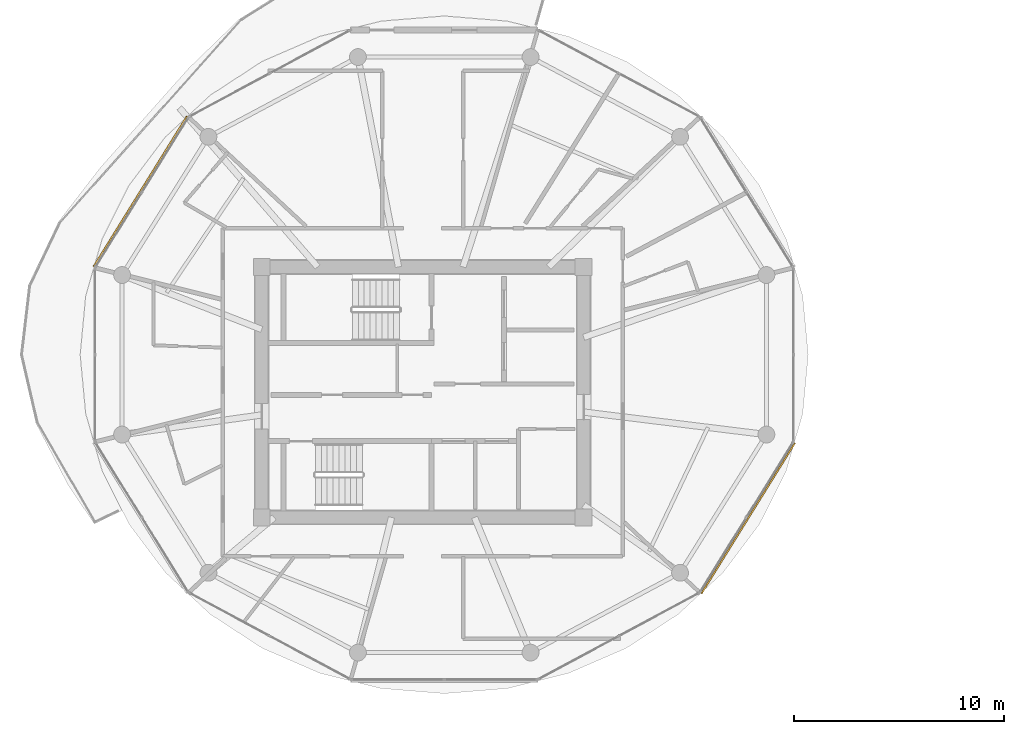
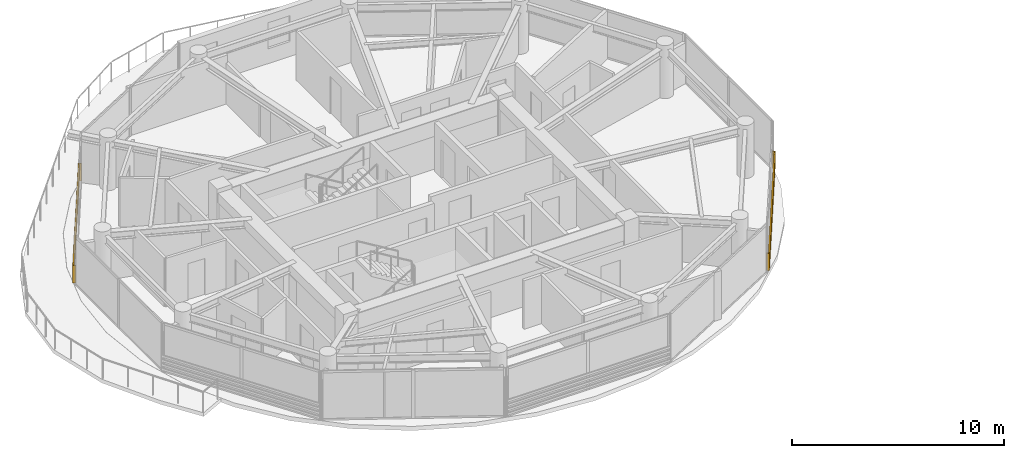
# One storey, part 21 of 24: 2 shading devices.
"""IFC4 building model written with IfcOpenShell, lengths in metres."""

import ifcopenshell
import ifcopenshell.guid

model = None  # the IFC model being written
_history = None  # IfcOwnerHistory: only IFC2X3 demands one
_inside = {}  # id of a spatial element -> (the spatial element, [elements in it])
_under = {}  # id of a project, library or spatial element -> (it, [spatial elements below it])
_declared = {}  # id of a project -> (the project, [libraries it declares])
_typed = {}  # id of a type object -> (the type object, [elements of that type])
_made_of = {}  # id of a material, layer set ... -> (it, [elements and type objects made of it])


def new_model(schema):
    """Start an empty IFC model of exactly this schema.

    Asked for "IFC4X3", IfcOpenShell would pick the latest addendum, in which some entities
    have other attributes; the version numbers below select the first issue.
    IFC2X3 requires an IfcOwnerHistory on every rooted entity: one is made here for all.
    """
    global model, _history
    if schema == "IFC4X3":
        model = ifcopenshell.file(schema_version=(4, 3, 0, 0))
    else:
        model = ifcopenshell.file(schema=schema)
    _inside.clear()
    _under.clear()
    _declared.clear()
    _typed.clear()
    _made_of.clear()
    _history = None
    if model.schema == "IFC2X3":
        org = make("IfcOrganization", Name="unknown")
        user = make(
            "IfcPersonAndOrganization",
            ThePerson=make("IfcPerson", FamilyName="unknown"),
            TheOrganization=org,
        )
        app = make(
            "IfcApplication",
            ApplicationDeveloper=org,
            Version="unknown",
            ApplicationFullName="unknown",
            ApplicationIdentifier="unknown",
        )
        _history = make(
            "IfcOwnerHistory",
            OwningUser=user,
            OwningApplication=app,
            ChangeAction="ADDED",
            CreationDate=0,
        )
    return model


def make(cls, **values):
    """One entity of the class cls with the attributes given. An attribute that is None is left unset."""
    return model.create_entity(
        cls, **{name: value for name, value in values.items() if value is not None}
    )


def rooted(cls, **values):
    """An entity with a GlobalId (a new one), such as an element, a storey or a relation."""
    return make(cls, GlobalId=ifcopenshell.guid.new(), OwnerHistory=_history, **values)


def si_unit(unit_type, name, prefix=None):
    """IfcSIUnit, for example si_unit("LENGTHUNIT", "METRE", prefix="MILLI")."""
    return make("IfcSIUnit", UnitType=unit_type, Prefix=prefix, Name=name)


def assignment(units):
    """IfcUnitAssignment: the units of a project."""
    return None if units is None else make("IfcUnitAssignment", Units=units)


def point(xyz):
    """IfcCartesianPoint."""
    return None if xyz is None else make("IfcCartesianPoint", Coordinates=xyz)


def direction(xyz):
    """IfcDirection."""
    return None if xyz is None else make("IfcDirection", DirectionRatios=xyz)


def frame(location, z_axis=None, x_axis=None):
    """IfcAxis2Placement3D, a coordinate frame: its origin and axes. An axis left out is left unset."""
    return make(
        "IfcAxis2Placement3D",
        Location=point(location),
        Axis=direction(z_axis),
        RefDirection=direction(x_axis),
    )


def frame_2d(location, x_axis=None):
    """IfcAxis2Placement2D, a coordinate frame in the plane: its origin and x axis."""
    return make(
        "IfcAxis2Placement2D", Location=point(location), RefDirection=direction(x_axis)
    )


def origin():
    """The frame at (0, 0, 0) with its axes left unset."""
    return frame((0.0, 0.0, 0.0))


def origin_2d():
    """The frame at (0, 0) in the plane with its x axis left unset."""
    return frame_2d((0.0, 0.0))


def place(relative_to, where):
    """IfcLocalPlacement: puts the frame where relative to a parent placement (None: the world)."""
    return make(
        "IfcLocalPlacement", PlacementRelTo=relative_to, RelativePlacement=where
    )


def context(
    kind, dimensions, precision=None, world=None, true_north=None, identifier=None
):
    """IfcGeometricRepresentationContext, for example the 3D "Model" context."""
    return make(
        "IfcGeometricRepresentationContext",
        ContextIdentifier=identifier,
        ContextType=kind,
        CoordinateSpaceDimension=dimensions,
        Precision=precision,
        WorldCoordinateSystem=world,
        TrueNorth=true_north,
    )


def subcontext(parent, identifier, kind, view, scale=None):
    """IfcGeometricRepresentationSubContext, for example "Body" below "Model"."""
    return make(
        "IfcGeometricRepresentationSubContext",
        ContextIdentifier=identifier,
        ContextType=kind,
        ParentContext=parent,
        TargetScale=scale,
        TargetView=view,
    )


def project(units=None, contexts=None):
    """IfcProject with its units and contexts."""
    return rooted(
        "IfcProject",
        Name="project",
        RepresentationContexts=contexts,
        UnitsInContext=assignment(units),
    )


def spatial(cls, under=None, at=None, **own):
    """A site, building, storey or space (cls), placed at a placement, below another one or the project."""
    s = rooted(cls, ObjectPlacement=at, **own)
    if under is not None:
        _under.setdefault(under.id(), (under, []))[1].append(s)
    return s


def profile(cls, at=None, kind="AREA", **sizes):
    """A parametric profile (cls). Its sizes go by their IFC names, for example OverallWidth=200.0."""
    return make(cls, ProfileType=kind, Position=at, **sizes)


def rectangle(**sizes):
    """IfcRectangleProfileDef."""
    return profile("IfcRectangleProfileDef", **sizes)


def extrude(swept, where, along, depth):
    """IfcExtrudedAreaSolid: the profile swept, set in the frame where, extruded along a direction by depth."""
    return make(
        "IfcExtrudedAreaSolid",
        SweptArea=swept,
        Position=where,
        ExtrudedDirection=direction(along),
        Depth=depth,
    )


def shape(context_of_items, identifier, shape_type, items):
    """IfcShapeRepresentation: the items that make up one representation, for example the "Body"."""
    return make(
        "IfcShapeRepresentation",
        ContextOfItems=context_of_items,
        RepresentationIdentifier=identifier,
        RepresentationType=shape_type,
        Items=items,
    )


def source(mapping_origin, context_of_items, identifier, shape_type, items):
    """IfcRepresentationMap: a shape defined once, which mapped items show again and again."""
    return make(
        "IfcRepresentationMap",
        MappingOrigin=mapping_origin,
        MappedRepresentation=shape(context_of_items, identifier, shape_type, items),
    )


def transform(
    local_origin,
    x_axis=None,
    y_axis=None,
    z_axis=None,
    scale=None,
    scale2=None,
    scale3=None,
    uniform=True,
):
    """IfcCartesianTransformationOperator3D, or its non-uniform kind. x_axis, y_axis, z_axis: its Axis1, 2, 3."""
    if uniform:
        return make(
            "IfcCartesianTransformationOperator3D",
            Axis1=direction(x_axis),
            Axis2=direction(y_axis),
            LocalOrigin=point(local_origin),
            Scale=scale,
            Axis3=direction(z_axis),
        )
    return make(
        "IfcCartesianTransformationOperator3DnonUniform",
        Axis1=direction(x_axis),
        Axis2=direction(y_axis),
        LocalOrigin=point(local_origin),
        Scale=scale,
        Axis3=direction(z_axis),
        Scale2=scale2,
        Scale3=scale3,
    )


def mapped(mapping_source, mapping_target):
    """IfcMappedItem: shows the shape of a source again, moved by a transform."""
    return make(
        "IfcMappedItem", MappingSource=mapping_source, MappingTarget=mapping_target
    )


def material(Name=None, Category=None):
    """IfcMaterial."""
    return make("IfcMaterial", Name=Name, Category=Category)


def made_of(thing, what):
    """Note that an element or type object is made of a material, layer set ...; save() writes the relation."""
    if what is not None:
        _made_of.setdefault(what.id(), (what, []))[1].append(thing)
    return thing


def type_object(cls, material=None, **own):
    """A type object (cls), such as IfcWallType, which elements share."""
    return made_of(rooted(cls, **own), material)


def type_shapes(of_type, sources):
    """Give a type object the sources (RepresentationMaps) that its elements show as mapped items."""
    of_type.RepresentationMaps = sources


def element(
    cls,
    number,
    at=None,
    inside=None,
    cuts=None,
    type_object=None,
    material=None,
    context=None,
    identifier="Body",
    shape_type=None,
    held_by="IfcProductDefinitionShape",
    body=None,
    shapes=None,
    **own,
):
    """One element of the class cls, such as IfcWall. Its Tag is "e" and its number.

    at: its placement. inside: the storey or other place that contains it. cuts: it is an
    opening in that element (IfcRelVoidsElement). A single representation is given by context,
    identifier, shape_type and body (its items); several are given by shapes. held_by: the class
    of the entity that holds the representations. save() writes the other relations.
    """
    e = rooted(cls, Tag="e%d" % number, ObjectPlacement=at, **own)
    if body is not None:
        shapes = [shape(context, identifier, shape_type, body)]
    if shapes is not None:
        e.Representation = make(held_by, Representations=shapes)
    if inside is not None:
        _inside.setdefault(inside.id(), (inside, []))[1].append(e)
    if cuts is not None:
        rooted(
            "IfcRelVoidsElement", RelatingBuildingElement=cuts, RelatedOpeningElement=e
        )
    if type_object is not None:
        _typed.setdefault(type_object.id(), (type_object, []))[1].append(e)
    return made_of(e, material)


def aggregate(whole, parts):
    """IfcRelAggregates: a whole, such as a stair, and the parts it consists of."""
    return rooted("IfcRelAggregates", RelatingObject=whole, RelatedObjects=parts)


def save(model, path):
    """Write the relations noted so far, then the file.

    IfcRelAggregates (storeys below a building ...), IfcRelContainedInSpatialStructure (elements
    in a storey), IfcRelDefinesByType, IfcRelAssociatesMaterial and IfcRelDeclares: one each for
    every whole, place, type object, material and project.
    """
    for whole, parts in _under.values():
        aggregate(whole, parts)
    for where, things in _inside.values():
        rooted(
            "IfcRelContainedInSpatialStructure",
            RelatedElements=things,
            RelatingStructure=where,
        )
    for kind, things in _typed.values():
        rooted("IfcRelDefinesByType", RelatedObjects=things, RelatingType=kind)
    for what, things in _made_of.values():
        rooted("IfcRelAssociatesMaterial", RelatedObjects=things, RelatingMaterial=what)
    for by, libraries in _declared.values():
        rooted("IfcRelDeclares", RelatingContext=by, RelatedDefinitions=libraries)
    model.write(path)


model = new_model("IFC4")

# Units and contexts
model_context = context("Model", 3, precision=1e-05, world=origin(), true_north=direction((0.0, 1.0)))
body_context = subcontext(model_context, "Body", "Model", "MODEL_VIEW")
ifc_project = project(units=[si_unit("LENGTHUNIT", "METRE"), si_unit("AREAUNIT", "SQUARE_METRE"), si_unit("VOLUMEUNIT", "CUBIC_METRE"), si_unit("PLANEANGLEUNIT", "RADIAN"), si_unit("MASSUNIT", "GRAM", prefix="KILO")], contexts=[model_context])

# Site, building, storey
site_placement = place(None, origin())
site = spatial("IfcSite", under=ifc_project, at=site_placement, CompositionType="ELEMENT")
building_placement = place(site_placement, origin())
building = spatial("IfcBuilding", under=site, at=building_placement, Name="Norrkilde Senior Care Towers", CompositionType="ELEMENT")
storey_placement = place(building_placement, frame((0.0, 0.0, 155.64990234375)))
storey = spatial("IfcBuildingStorey", under=building, at=storey_placement, Name="L48", CompositionType="ELEMENT", Elevation=155.64990234375)

# Shading devices
ifc_material = material(Name="Architectural Terracotta", Category="masonry")
shading_device_type = type_object("IfcShadingDeviceType", Name="Horizontal Terracotta Baguette Rack", PredefinedType="USERDEFINED", material=ifc_material)
shared_shape = source(origin(), body_context, "Body", "SweptSolid", [
    extrude(rectangle(XDim=0.070068359375, YDim=0.110107421875, at=origin_2d()), frame((0.0, 0.090087890625, 0.125), z_axis=(1.0, 0.0, 0.0), x_axis=(0.0, 1.0, 0.0)), (0.0, 0.0, 1.0), 8.431396484375),
    extrude(rectangle(XDim=0.070068359375, YDim=0.110107421875, at=origin_2d()), frame((0.0, 0.090087890625, 0.375), z_axis=(1.0, 0.0, 0.0), x_axis=(0.0, 1.0, 0.0)), (0.0, 0.0, 1.0), 8.431396484375),
    extrude(rectangle(XDim=0.070068359375, YDim=0.110107421875, at=origin_2d()), frame((0.0, 0.090087890625, 0.625), z_axis=(1.0, 0.0, 0.0), x_axis=(0.0, 1.0, 0.0)), (0.0, 0.0, 1.0), 8.431396484375),
    extrude(rectangle(XDim=0.070068359375, YDim=0.110107421875, at=origin_2d()), frame((0.0, 0.090087890625, 0.875), z_axis=(1.0, 0.0, 0.0), x_axis=(0.0, 1.0, 0.0)), (0.0, 0.0, 1.0), 8.431396484375),
    extrude(rectangle(XDim=0.050048828125, YDim=0.1552734375, at=origin_2d()), frame((0.02490234375, 0.047607421875, 0.0)), (0.0, 0.0, 1.0), 1.0),
    extrude(rectangle(XDim=0.050048828125, YDim=0.1552734375, at=origin_2d()), frame((8.40625, 0.047607421875, 0.0)), (0.0, 0.0, 1.0), 1.0),
])
type_shapes(shading_device_type, [shared_shape])
for number, where, z_axis, x_axis, name in (
    (1, (-43.569580078125, 5.911376953125, 0.080078125), (0.0, 0.0, 1.0), (0.527378022296, 0.849630809324, 0.0), "L48 Drum W Terracotta Baguette Screen 04"),
    (2, (-10.38037109375, -2.360595703125, 0.080078125), (0.0, 0.0, 1.0), (-0.527378022296, -0.849630809324, 0.0), "L48 Drum W Terracotta Baguette Screen 10"),
):
    element("IfcShadingDevice", number, at=place(storey_placement, frame(where, z_axis=z_axis, x_axis=x_axis)), inside=storey, type_object=shading_device_type, Name=name, ObjectType="BAGUETTE", PredefinedType="USERDEFINED", context=body_context, shape_type="MappedRepresentation", body=[
        mapped(shared_shape, transform((0.0, 0.0, 0.0), x_axis=(1.0, 0.0, 0.0), y_axis=(0.0, 1.0, 0.0), z_axis=(0.0, 0.0, 1.0), scale=1.0)),
    ])

save(model, "model.ifc")
